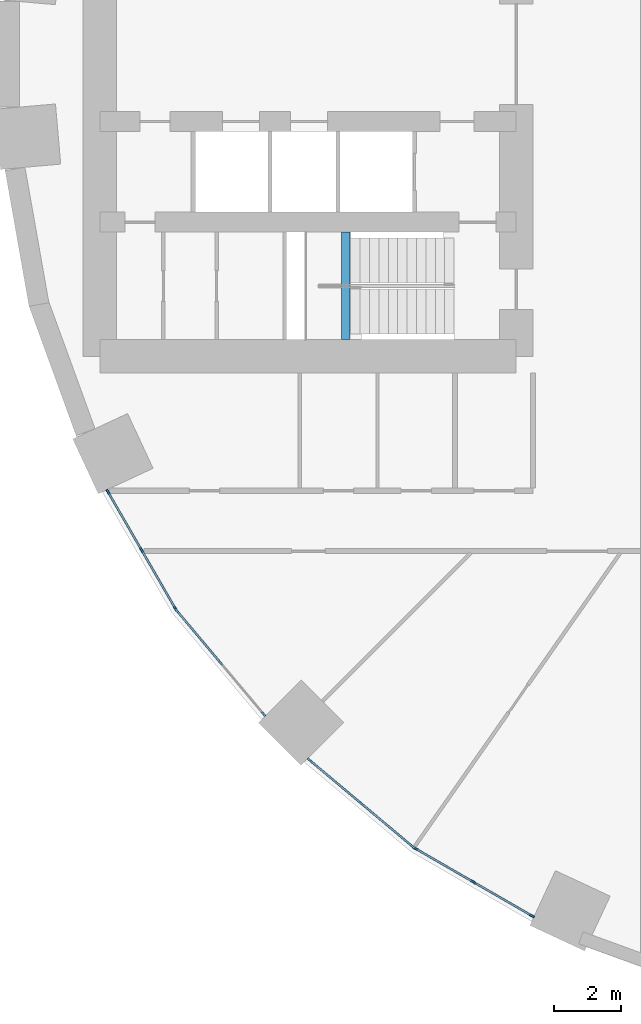
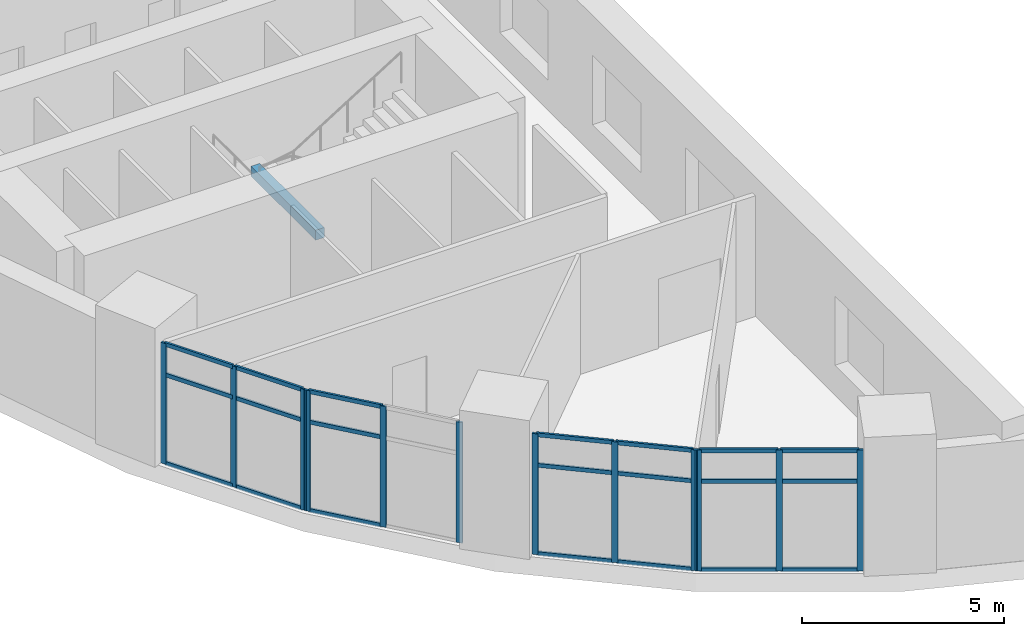
# One storey, part 2 of 13: 33 members, 1 beam, 4 elements without a shape of their own.
"""IFC4 building model written with IfcOpenShell, lengths in metres."""

from ifc_helpers import new_model, si_unit, direction, frame, origin, origin_2d, place, context, subcontext, project, spatial, rectangle, extrude, material, layer, layer_set, material_profile, profile_set, type_object, element, aggregate, save


model = new_model("IFC4")

# Units and contexts
model_context = context("Model", 3, precision=1e-05, world=origin(), true_north=direction((0.0, 1.0)))
body_context = subcontext(model_context, "Body", "Model", "MODEL_VIEW")
ifc_project = project(units=[si_unit("LENGTHUNIT", "METRE"), si_unit("AREAUNIT", "SQUARE_METRE"), si_unit("VOLUMEUNIT", "CUBIC_METRE"), si_unit("PLANEANGLEUNIT", "RADIAN"), si_unit("MASSUNIT", "GRAM", prefix="KILO")], contexts=[model_context])

# Site, building, storey
site_placement = place(None, origin())
site = spatial("IfcSite", under=ifc_project, at=site_placement, CompositionType="ELEMENT")
building_placement = place(site_placement, origin())
building = spatial("IfcBuilding", under=site, at=building_placement, Name="Saqina Gate Tower", CompositionType="ELEMENT")
storey_placement = place(building_placement, frame((0.0, 0.0, 5.0)))
storey = spatial("IfcBuildingStorey", under=building, at=storey_placement, Name="L01", CompositionType="ELEMENT", Elevation=5.0)

# Curtain wall, members
ifc_material_1 = material(Name="Aluminium glazing", Category="aluminium")
ifc_layer = layer(ifc_material_1, 0.159912109375)
ifc_layer_set = layer_set([ifc_layer], Name="CWT-1")
curtain_wall_type = type_object("IfcCurtainWallType", Name="CWT-1", PredefinedType="NOTDEFINED", material=ifc_layer_set)
curtain_wall_1_placement = place(storey_placement, origin())
curtain_wall_1 = element("IfcCurtainWall", 1, at=curtain_wall_1_placement, inside=storey, type_object=curtain_wall_type, Name="Podium shopfront facet 21", PredefinedType="NOTDEFINED")
ifc_material_2 = material(Name="Aluminium", Category="aluminium")
ifc_material_profile_1 = material_profile(ifc_material_2, rectangle(XDim=0.06005859375, YDim=0.159912109375, at=origin_2d()), Name="Aluminium 60x160")
ifc_profile_set_1 = profile_set([ifc_material_profile_1], Name="Aluminium")
member_type_1 = type_object("IfcMemberType", Name="CWT-1M", PredefinedType="MULLION", material=ifc_profile_set_1)
member_1_placement = place(storey_placement, frame((-25.66015625, -13.03466796875, 0.0), z_axis=(0.0, 0.0, 1.0), x_axis=(0.866017381415, 0.500013894893, 0.0)))
member_1 = element("IfcMember", 2, at=member_1_placement, type_object=member_type_1, Name="CW1-21 mullion 1", PredefinedType="MULLION", context=body_context, shape_type="SweptSolid", body=[
    extrude(rectangle(XDim=0.06005859375, YDim=0.159912109375, at=origin_2d()), origin(), (0.0, 0.0, 1.0), 3.64990234375),
])
member_2_placement = place(storey_placement, frame((-24.65771484375, -14.770751953125, 0.0), z_axis=(0.0, 0.0, 1.0), x_axis=(0.866017381415, 0.500013894893, 0.0)))
member_2 = element("IfcMember", 3, at=member_2_placement, type_object=member_type_1, Name="CW1-21 mullion 2", PredefinedType="MULLION", context=body_context, shape_type="SweptSolid", body=[
    extrude(rectangle(XDim=0.06005859375, YDim=0.159912109375, at=origin_2d()), origin(), (0.0, 0.0, 1.0), 3.64990234375),
])
member_3_placement = place(storey_placement, frame((-23.655517578125, -16.5068359375, 0.0), z_axis=(0.0, 0.0, 1.0), x_axis=(0.866017381415, 0.500013894893, 0.0)))
member_3 = element("IfcMember", 4, at=member_3_placement, type_object=member_type_1, Name="CW1-21 mullion 3", PredefinedType="MULLION", context=body_context, shape_type="SweptSolid", body=[
    extrude(rectangle(XDim=0.06005859375, YDim=0.159912109375, at=origin_2d()), origin(), (0.0, 0.0, 1.0), 3.64990234375),
])

curtain_wall_2_placement = place(storey_placement, origin())
curtain_wall_2 = element("IfcCurtainWall", 5, at=curtain_wall_2_placement, inside=storey, type_object=curtain_wall_type, Name="Podium shopfront facet 22", PredefinedType="NOTDEFINED")
member_4_placement = place(storey_placement, frame((-23.601806640625, -16.583251953125, 0.0), z_axis=(0.0, 0.0, 1.0), x_axis=(0.766051396473, 0.642779322911, 0.0)))
member_4 = element("IfcMember", 6, at=member_4_placement, type_object=member_type_1, Name="CW1-22 mullion 1", PredefinedType="MULLION", context=body_context, shape_type="SweptSolid", body=[
    extrude(rectangle(XDim=0.06005859375, YDim=0.159912109375, at=origin_2d()), origin(), (0.0, 0.0, 1.0), 3.64990234375),
])
member_5_placement = place(storey_placement, frame((-22.3134765625, -18.118896484375, 0.0), z_axis=(0.0, 0.0, 1.0), x_axis=(0.766051396473, 0.642779322911, 0.0)))
member_5 = element("IfcMember", 7, at=member_5_placement, type_object=member_type_1, Name="CW1-22 mullion 2", PredefinedType="MULLION", context=body_context, shape_type="SweptSolid", body=[
    extrude(rectangle(XDim=0.06005859375, YDim=0.159912109375, at=origin_2d()), origin(), (0.0, 0.0, 1.0), 3.64990234375),
])
member_6_placement = place(storey_placement, frame((-21.02490234375, -19.654296875, 0.0), z_axis=(0.0, 0.0, 1.0), x_axis=(0.766051396473, 0.642779322911, 0.0)))
member_6 = element("IfcMember", 8, at=member_6_placement, type_object=member_type_1, Name="CW1-22 mullion 3", PredefinedType="MULLION", context=body_context, shape_type="SweptSolid", body=[
    extrude(rectangle(XDim=0.06005859375, YDim=0.159912109375, at=origin_2d()), origin(), (0.0, 0.0, 1.0), 3.64990234375),
])

curtain_wall_3_placement = place(storey_placement, origin())
curtain_wall_3 = element("IfcCurtainWall", 9, at=curtain_wall_3_placement, inside=storey, type_object=curtain_wall_type, Name="Podium shopfront facet 23", PredefinedType="NOTDEFINED")
member_7_placement = place(storey_placement, frame((-19.654296875, -21.02490234375, 0.0), z_axis=(0.0, 0.0, 1.0), x_axis=(0.642779322911, 0.766051396473, 0.0)))
member_7 = element("IfcMember", 10, at=member_7_placement, type_object=member_type_1, Name="CW1-23 mullion 1", PredefinedType="MULLION", context=body_context, shape_type="SweptSolid", body=[
    extrude(rectangle(XDim=0.06005859375, YDim=0.159912109375, at=origin_2d()), origin(), (0.0, 0.0, 1.0), 3.64990234375),
])
member_8_placement = place(storey_placement, frame((-18.118896484375, -22.3134765625, 0.0), z_axis=(0.0, 0.0, 1.0), x_axis=(0.642779322911, 0.766051396473, 0.0)))
member_8 = element("IfcMember", 11, at=member_8_placement, type_object=member_type_1, Name="CW1-23 mullion 2", PredefinedType="MULLION", context=body_context, shape_type="SweptSolid", body=[
    extrude(rectangle(XDim=0.06005859375, YDim=0.159912109375, at=origin_2d()), origin(), (0.0, 0.0, 1.0), 3.64990234375),
])
member_9_placement = place(storey_placement, frame((-16.583251953125, -23.601806640625, 0.0), z_axis=(0.0, 0.0, 1.0), x_axis=(0.642779322911, 0.766051396473, 0.0)))
member_9 = element("IfcMember", 12, at=member_9_placement, type_object=member_type_1, Name="CW1-23 mullion 3", PredefinedType="MULLION", context=body_context, shape_type="SweptSolid", body=[
    extrude(rectangle(XDim=0.06005859375, YDim=0.159912109375, at=origin_2d()), origin(), (0.0, 0.0, 1.0), 3.64990234375),
])

curtain_wall_4_placement = place(storey_placement, origin())
curtain_wall_4 = element("IfcCurtainWall", 13, at=curtain_wall_4_placement, inside=storey, type_object=curtain_wall_type, Name="Podium shopfront facet 24", PredefinedType="NOTDEFINED")
member_10_placement = place(storey_placement, frame((-16.5068359375, -23.655517578125, 0.0), z_axis=(0.0, 0.0, 1.0), x_axis=(0.500013894893, 0.866017381415, 0.0)))
member_10 = element("IfcMember", 14, at=member_10_placement, type_object=member_type_1, Name="CW1-24 mullion 1", PredefinedType="MULLION", context=body_context, shape_type="SweptSolid", body=[
    extrude(rectangle(XDim=0.06005859375, YDim=0.159912109375, at=origin_2d()), origin(), (0.0, 0.0, 1.0), 3.64990234375),
])
member_11_placement = place(storey_placement, frame((-14.770751953125, -24.65771484375, 0.0), z_axis=(0.0, 0.0, 1.0), x_axis=(0.500013894893, 0.866017381415, 0.0)))
member_11 = element("IfcMember", 15, at=member_11_placement, type_object=member_type_1, Name="CW1-24 mullion 2", PredefinedType="MULLION", context=body_context, shape_type="SweptSolid", body=[
    extrude(rectangle(XDim=0.06005859375, YDim=0.159912109375, at=origin_2d()), origin(), (0.0, 0.0, 1.0), 3.64990234375),
])
member_12_placement = place(storey_placement, frame((-13.03466796875, -25.66015625, 0.0), z_axis=(0.0, 0.0, 1.0), x_axis=(0.500013894893, 0.866017381415, 0.0)))
member_12 = element("IfcMember", 16, at=member_12_placement, type_object=member_type_1, Name="CW1-24 mullion 3", PredefinedType="MULLION", context=body_context, shape_type="SweptSolid", body=[
    extrude(rectangle(XDim=0.06005859375, YDim=0.159912109375, at=origin_2d()), origin(), (0.0, 0.0, 1.0), 3.64990234375),
])

# Member
ifc_material_3 = material(Name="Aluminium", Category="aluminium")
ifc_material_profile_2 = material_profile(ifc_material_3, rectangle(XDim=0.06005859375, YDim=0.1201171875, at=origin_2d()), Name="Aluminium 60x120")
ifc_profile_set_2 = profile_set([ifc_material_profile_2], Name="Aluminium")
member_type_2 = type_object("IfcMemberType", Name="CWT-1T", PredefinedType="USERDEFINED", material=ifc_profile_set_2)
member_13_placement = place(storey_placement, frame((-25.64501953125, -13.060791015625, 0.030029296875), z_axis=(0.499947064232, -0.866055964107, 0.0), x_axis=(0.866055964107, 0.499947064232, 0.0)))
member_13 = element("IfcMember", 17, at=member_13_placement, type_object=member_type_2, Name="CW1-21 transom 1.1", ObjectType="TRANSOM", PredefinedType="USERDEFINED", context=body_context, shape_type="SweptSolid", body=[
    extrude(rectangle(XDim=0.06005859375, YDim=0.1201171875, at=origin_2d()), origin(), (0.0, 0.0, 1.0), 1.944580078125),
])

member_14_placement = place(storey_placement, frame((-25.64501953125, -13.060791015625, 2.699951171875), z_axis=(0.499947064232, -0.866055964107, 0.0), x_axis=(0.866055964107, 0.499947064232, 0.0)))
member_14 = element("IfcMember", 18, at=member_14_placement, type_object=member_type_2, Name="CW1-21 transom 1.2", ObjectType="TRANSOM", PredefinedType="USERDEFINED", context=body_context, shape_type="SweptSolid", body=[
    extrude(rectangle(XDim=0.06005859375, YDim=0.1201171875, at=origin_2d()), origin(), (0.0, 0.0, 1.0), 1.944580078125),
])

member_15_placement = place(storey_placement, frame((-25.64501953125, -13.060791015625, 3.6201171875), z_axis=(0.499947064232, -0.866055964107, 0.0), x_axis=(0.866055964107, 0.499947064232, 0.0)))
member_15 = element("IfcMember", 19, at=member_15_placement, type_object=member_type_2, Name="CW1-21 transom 1.3", ObjectType="TRANSOM", PredefinedType="USERDEFINED", context=body_context, shape_type="SweptSolid", body=[
    extrude(rectangle(XDim=0.06005859375, YDim=0.1201171875, at=origin_2d()), origin(), (0.0, 0.0, 1.0), 1.944580078125),
])

member_16_placement = place(storey_placement, frame((-24.642822265625, -14.796630859375, 0.030029296875), z_axis=(0.500041225824, -0.866001600736, 0.0), x_axis=(0.866001600736, 0.500041225824, 0.0)))
member_16 = element("IfcMember", 20, at=member_16_placement, type_object=member_type_2, Name="CW1-21 transom 2.1", ObjectType="TRANSOM", PredefinedType="USERDEFINED", context=body_context, shape_type="SweptSolid", body=[
    extrude(rectangle(XDim=0.06005859375, YDim=0.1201171875, at=origin_2d()), origin(), (0.0, 0.0, 1.0), 1.944580078125),
])

member_17_placement = place(storey_placement, frame((-24.642822265625, -14.796630859375, 2.699951171875), z_axis=(0.500041225824, -0.866001600736, 0.0), x_axis=(0.866001600736, 0.500041225824, 0.0)))
member_17 = element("IfcMember", 21, at=member_17_placement, type_object=member_type_2, Name="CW1-21 transom 2.2", ObjectType="TRANSOM", PredefinedType="USERDEFINED", context=body_context, shape_type="SweptSolid", body=[
    extrude(rectangle(XDim=0.06005859375, YDim=0.1201171875, at=origin_2d()), origin(), (0.0, 0.0, 1.0), 1.944580078125),
])

member_18_placement = place(storey_placement, frame((-24.642822265625, -14.796630859375, 3.6201171875), z_axis=(0.500041225824, -0.866001600736, 0.0), x_axis=(0.866001600736, 0.500041225824, 0.0)))
member_18 = element("IfcMember", 22, at=member_18_placement, type_object=member_type_2, Name="CW1-21 transom 2.3", ObjectType="TRANSOM", PredefinedType="USERDEFINED", context=body_context, shape_type="SweptSolid", body=[
    extrude(rectangle(XDim=0.06005859375, YDim=0.1201171875, at=origin_2d()), origin(), (0.0, 0.0, 1.0), 1.944580078125),
])

aggregate(curtain_wall_1, [member_1, member_2, member_3, member_13, member_14, member_15, member_16, member_17, member_18])

member_19_placement = place(storey_placement, frame((-23.58251953125, -16.606201171875, 0.030029296875), z_axis=(0.642700228444, -0.766117756196, 0.0), x_axis=(0.766117756196, 0.642700228444, 0.0)))
member_19 = element("IfcMember", 23, at=member_19_placement, type_object=member_type_2, Name="CW1-22 transom 1.1", ObjectType="TRANSOM", PredefinedType="USERDEFINED", context=body_context, shape_type="SweptSolid", body=[
    extrude(rectangle(XDim=0.06005859375, YDim=0.1201171875, at=origin_2d()), origin(), (0.0, 0.0, 1.0), 1.944580078125),
])

member_20_placement = place(storey_placement, frame((-23.58251953125, -16.606201171875, 2.699951171875), z_axis=(0.642700228444, -0.766117756196, 0.0), x_axis=(0.766117756196, 0.642700228444, 0.0)))
member_20 = element("IfcMember", 24, at=member_20_placement, type_object=member_type_2, Name="CW1-22 transom 1.2", ObjectType="TRANSOM", PredefinedType="USERDEFINED", context=body_context, shape_type="SweptSolid", body=[
    extrude(rectangle(XDim=0.06005859375, YDim=0.1201171875, at=origin_2d()), origin(), (0.0, 0.0, 1.0), 1.944580078125),
])

member_21_placement = place(storey_placement, frame((-23.58251953125, -16.606201171875, 3.6201171875), z_axis=(0.642700228444, -0.766117756196, 0.0), x_axis=(0.766117756196, 0.642700228444, 0.0)))
member_21 = element("IfcMember", 25, at=member_21_placement, type_object=member_type_2, Name="CW1-22 transom 1.3", ObjectType="TRANSOM", PredefinedType="USERDEFINED", context=body_context, shape_type="SweptSolid", body=[
    extrude(rectangle(XDim=0.06005859375, YDim=0.1201171875, at=origin_2d()), origin(), (0.0, 0.0, 1.0), 1.944580078125),
])

aggregate(curtain_wall_2, [member_4, member_5, member_6, member_19, member_20, member_21])

member_22_placement = place(storey_placement, frame((-19.63134765625, -21.044189453125, 0.030029296875), z_axis=(0.76600406177, -0.642835731235, 0.0), x_axis=(0.642835731235, 0.76600406177, 0.0)))
member_22 = element("IfcMember", 26, at=member_22_placement, type_object=member_type_2, Name="CW1-23 transom 1.1", ObjectType="TRANSOM", PredefinedType="USERDEFINED", context=body_context, shape_type="SweptSolid", body=[
    extrude(rectangle(XDim=0.06005859375, YDim=0.1201171875, at=origin_2d()), origin(), (0.0, 0.0, 1.0), 1.944580078125),
])

member_23_placement = place(storey_placement, frame((-19.63134765625, -21.044189453125, 2.699951171875), z_axis=(0.76600406177, -0.642835731235, 0.0), x_axis=(0.642835731235, 0.76600406177, 0.0)))
member_23 = element("IfcMember", 27, at=member_23_placement, type_object=member_type_2, Name="CW1-23 transom 1.2", ObjectType="TRANSOM", PredefinedType="USERDEFINED", context=body_context, shape_type="SweptSolid", body=[
    extrude(rectangle(XDim=0.06005859375, YDim=0.1201171875, at=origin_2d()), origin(), (0.0, 0.0, 1.0), 1.944580078125),
])

member_24_placement = place(storey_placement, frame((-19.63134765625, -21.044189453125, 3.6201171875), z_axis=(0.76600406177, -0.642835731235, 0.0), x_axis=(0.642835731235, 0.76600406177, 0.0)))
member_24 = element("IfcMember", 28, at=member_24_placement, type_object=member_type_2, Name="CW1-23 transom 1.3", ObjectType="TRANSOM", PredefinedType="USERDEFINED", context=body_context, shape_type="SweptSolid", body=[
    extrude(rectangle(XDim=0.06005859375, YDim=0.1201171875, at=origin_2d()), origin(), (0.0, 0.0, 1.0), 1.944580078125),
])

member_25_placement = place(storey_placement, frame((-18.095947265625, -22.332763671875, 0.030029296875), z_axis=(0.766117756196, -0.642700228444, 0.0), x_axis=(0.642700228444, 0.766117756196, 0.0)))
member_25 = element("IfcMember", 29, at=member_25_placement, type_object=member_type_2, Name="CW1-23 transom 2.1", ObjectType="TRANSOM", PredefinedType="USERDEFINED", context=body_context, shape_type="SweptSolid", body=[
    extrude(rectangle(XDim=0.06005859375, YDim=0.1201171875, at=origin_2d()), origin(), (0.0, 0.0, 1.0), 1.944580078125),
])

member_26_placement = place(storey_placement, frame((-18.095947265625, -22.332763671875, 2.699951171875), z_axis=(0.766117756196, -0.642700228444, 0.0), x_axis=(0.642700228444, 0.766117756196, 0.0)))
member_26 = element("IfcMember", 30, at=member_26_placement, type_object=member_type_2, Name="CW1-23 transom 2.2", ObjectType="TRANSOM", PredefinedType="USERDEFINED", context=body_context, shape_type="SweptSolid", body=[
    extrude(rectangle(XDim=0.06005859375, YDim=0.1201171875, at=origin_2d()), origin(), (0.0, 0.0, 1.0), 1.944580078125),
])

member_27_placement = place(storey_placement, frame((-18.095947265625, -22.332763671875, 3.6201171875), z_axis=(0.766117756196, -0.642700228444, 0.0), x_axis=(0.642700228444, 0.766117756196, 0.0)))
member_27 = element("IfcMember", 31, at=member_27_placement, type_object=member_type_2, Name="CW1-23 transom 2.3", ObjectType="TRANSOM", PredefinedType="USERDEFINED", context=body_context, shape_type="SweptSolid", body=[
    extrude(rectangle(XDim=0.06005859375, YDim=0.1201171875, at=origin_2d()), origin(), (0.0, 0.0, 1.0), 1.944580078125),
])

aggregate(curtain_wall_3, [member_7, member_8, member_9, member_22, member_23, member_24, member_25, member_26, member_27])

member_28_placement = place(storey_placement, frame((-16.480712890625, -23.67041015625, 0.030029296875), z_axis=(0.866001600736, -0.500041225824, 0.0), x_axis=(0.500041225824, 0.866001600736, 0.0)))
member_28 = element("IfcMember", 32, at=member_28_placement, type_object=member_type_2, Name="CW1-24 transom 1.1", ObjectType="TRANSOM", PredefinedType="USERDEFINED", context=body_context, shape_type="SweptSolid", body=[
    extrude(rectangle(XDim=0.06005859375, YDim=0.1201171875, at=origin_2d()), origin(), (0.0, 0.0, 1.0), 1.944580078125),
])

member_29_placement = place(storey_placement, frame((-16.480712890625, -23.67041015625, 2.699951171875), z_axis=(0.866001600736, -0.500041225824, 0.0), x_axis=(0.500041225824, 0.866001600736, 0.0)))
member_29 = element("IfcMember", 33, at=member_29_placement, type_object=member_type_2, Name="CW1-24 transom 1.2", ObjectType="TRANSOM", PredefinedType="USERDEFINED", context=body_context, shape_type="SweptSolid", body=[
    extrude(rectangle(XDim=0.06005859375, YDim=0.1201171875, at=origin_2d()), origin(), (0.0, 0.0, 1.0), 1.944580078125),
])

member_30_placement = place(storey_placement, frame((-16.480712890625, -23.67041015625, 3.6201171875), z_axis=(0.866001600736, -0.500041225824, 0.0), x_axis=(0.500041225824, 0.866001600736, 0.0)))
member_30 = element("IfcMember", 34, at=member_30_placement, type_object=member_type_2, Name="CW1-24 transom 1.3", ObjectType="TRANSOM", PredefinedType="USERDEFINED", context=body_context, shape_type="SweptSolid", body=[
    extrude(rectangle(XDim=0.06005859375, YDim=0.1201171875, at=origin_2d()), origin(), (0.0, 0.0, 1.0), 1.944580078125),
])

member_31_placement = place(storey_placement, frame((-14.744873046875, -24.6728515625, 0.030029296875), z_axis=(0.866055964107, -0.499947064232, 0.0), x_axis=(0.499947064232, 0.866055964107, 0.0)))
member_31 = element("IfcMember", 35, at=member_31_placement, type_object=member_type_2, Name="CW1-24 transom 2.1", ObjectType="TRANSOM", PredefinedType="USERDEFINED", context=body_context, shape_type="SweptSolid", body=[
    extrude(rectangle(XDim=0.06005859375, YDim=0.1201171875, at=origin_2d()), origin(), (0.0, 0.0, 1.0), 1.944580078125),
])

member_32_placement = place(storey_placement, frame((-14.744873046875, -24.6728515625, 2.699951171875), z_axis=(0.866055964107, -0.499947064232, 0.0), x_axis=(0.499947064232, 0.866055964107, 0.0)))
member_32 = element("IfcMember", 36, at=member_32_placement, type_object=member_type_2, Name="CW1-24 transom 2.2", ObjectType="TRANSOM", PredefinedType="USERDEFINED", context=body_context, shape_type="SweptSolid", body=[
    extrude(rectangle(XDim=0.06005859375, YDim=0.1201171875, at=origin_2d()), origin(), (0.0, 0.0, 1.0), 1.944580078125),
])

member_33_placement = place(storey_placement, frame((-14.744873046875, -24.6728515625, 3.6201171875), z_axis=(0.866055964107, -0.499947064232, 0.0), x_axis=(0.499947064232, 0.866055964107, 0.0)))
member_33 = element("IfcMember", 37, at=member_33_placement, type_object=member_type_2, Name="CW1-24 transom 2.3", ObjectType="TRANSOM", PredefinedType="USERDEFINED", context=body_context, shape_type="SweptSolid", body=[
    extrude(rectangle(XDim=0.06005859375, YDim=0.1201171875, at=origin_2d()), origin(), (0.0, 0.0, 1.0), 1.944580078125),
])

aggregate(curtain_wall_4, [member_10, member_11, member_12, member_28, member_29, member_30, member_31, member_32, member_33])

# Beam
ifc_material_4 = material(Name="Concrete C40/50", Category="concrete")
ifc_material_profile_3 = material_profile(ifc_material_4, rectangle(XDim=0.25, YDim=0.300048828125, at=origin_2d()), Name="STAIR LANDING BEAM")
ifc_profile_set_3 = profile_set([ifc_material_profile_3], Name="Concrete C40/50")
beam_type = type_object("IfcBeamType", Name="STAIR LANDING BEAM", PredefinedType="BEAM", material=ifc_profile_set_3)
beam_placement = place(storey_placement, frame((-18.580078125, -8.5, 1.699951171875), z_axis=(0.0, 1.0, 0.0), x_axis=(-1.0, 0.0, 0.0)))
element("IfcBeam", 38, at=beam_placement, inside=storey, type_object=beam_type, Name="EXIT STAIR 4 LANDING BEAM", PredefinedType="BEAM", context=body_context, shape_type="SweptSolid", body=[
    extrude(rectangle(XDim=0.25, YDim=0.300048828125, at=origin_2d()), origin(), (0.0, 0.0, 1.0), 3.199951171875),
])

save(model, "model.ifc")
